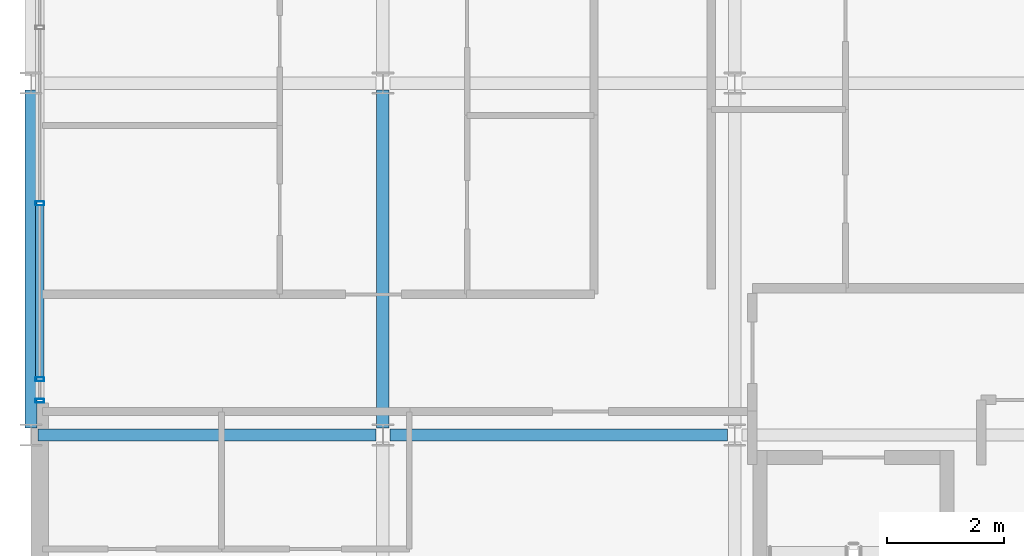
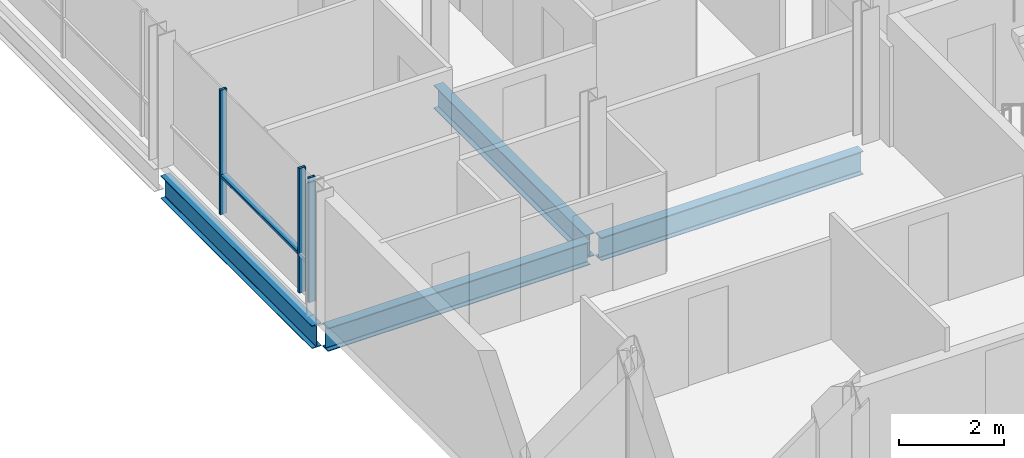
# One storey, part 4 of 29: 4 beams, 4 members, 1 element without a shape of its own.
"""IFC4 building model written with IfcOpenShell, lengths in metres."""

from ifc_helpers import new_model, si_unit, direction, frame, origin, origin_2d, place, context, subcontext, project, spatial, hollow_rectangle, i_section, extrude, material, layer, layer_set, material_profile, profile_set, type_object, element, aggregate, save


model = new_model("IFC4")

# Units and contexts
model_context = context("Model", 3, precision=1e-05, world=origin(), true_north=direction((0.0, 1.0)))
body_context = subcontext(model_context, "Body", "Model", "MODEL_VIEW")
ifc_project = project(units=[si_unit("LENGTHUNIT", "METRE"), si_unit("AREAUNIT", "SQUARE_METRE"), si_unit("VOLUMEUNIT", "CUBIC_METRE"), si_unit("PLANEANGLEUNIT", "RADIAN"), si_unit("MASSUNIT", "GRAM", prefix="KILO")], contexts=[model_context])

# Site, building, storey
site_placement = place(None, origin())
site = spatial("IfcSite", under=ifc_project, at=site_placement, CompositionType="ELEMENT")
building_placement = place(site_placement, origin())
building = spatial("IfcBuilding", under=site, at=building_placement, Name="Brevholm Reach", CompositionType="ELEMENT")
storey_placement = place(building_placement, frame((0.0, 0.0, 208.0)))
storey = spatial("IfcBuildingStorey", under=building, at=storey_placement, Name="L63", CompositionType="ELEMENT", Elevation=208.0)

# Beams
ifc_material_1 = material(Name="Structural Steel S355J2", Category="steel")
ifc_material_profile_1 = material_profile(ifc_material_1, i_section(OverallWidth=0.209228515625, OverallDepth=0.533203125, WebThickness=0.010009765625, FlangeThickness=0.015625, FilletRadius=0.0126953125, at=origin_2d()), Name="UKB 533x210x92")
ifc_profile_set_1 = profile_set([ifc_material_profile_1], Name="Structural Steel S355J2")
beam_type_1 = type_object("IfcBeamType", Name="BM-SP533", PredefinedType="SPANDREL", material=ifc_profile_set_1)
beam_placement = place(storey_placement, frame((0.0, 10.1201171875, -0.4765625), z_axis=(0.0, 1.0, 0.0), x_axis=(-1.0, 0.0, 0.0)))
element("IfcBeam", 1, at=beam_placement, inside=storey, type_object=beam_type_1, Name="L63 SP-02 Framing Beam", PredefinedType="SPANDREL", context=body_context, shape_type="SweptSolid", body=[
    extrude(i_section(OverallWidth=0.209228515625, OverallDepth=0.533203125, WebThickness=0.010009765625, FlangeThickness=0.015625, FilletRadius=0.0126953125, at=origin_2d()), origin(), (0.0, 0.0, 1.0), 5.759765625),
])
ifc_material_2 = material(Name="Structural Steel S355J2", Category="steel")
ifc_material_profile_2 = material_profile(ifc_material_2, i_section(OverallWidth=0.210693359375, OverallDepth=0.53955078125, WebThickness=0.01171875, FlangeThickness=0.018798828125, FilletRadius=0.0126953125, at=origin_2d()), Name="UKB 533x210x109")
ifc_profile_set_2 = profile_set([ifc_material_profile_2], Name="Structural Steel S355J2")
beam_type_2 = type_object("IfcBeamType", Name="BM-SP539", PredefinedType="SPANDREL", material=ifc_profile_set_2)
for number, where, z_axis, x_axis, name in (
    (2, (0.1201171875, 10.0, -0.479736328125), (1.0, 0.0, 0.0), (0.0, 1.0, 0.0), "L63 SP-01B Framing Beam"),
    (3, (6.1201171875, 10.0, -0.479736328125), (1.0, 0.0, 0.0), (0.0, 1.0, 0.0), "L63 SP-01B Framing Beam"),
    (4, (6.0, 10.1201171875, -0.479736328125), (0.0, 1.0, 0.0), (-1.0, 0.0, 0.0), "L63 SP-01B Framing Beam"),
):
    element("IfcBeam", number, at=place(storey_placement, frame(where, z_axis=z_axis, x_axis=x_axis)), inside=storey, type_object=beam_type_2, Name=name, PredefinedType="SPANDREL", context=body_context, shape_type="SweptSolid", body=[
        extrude(i_section(OverallWidth=0.210693359375, OverallDepth=0.53955078125, WebThickness=0.01171875, FlangeThickness=0.018798828125, FilletRadius=0.0126953125, at=origin_2d()), origin(), (0.0, 0.0, 1.0), 5.759765625),
    ])

# Curtain wall, members
ifc_material_3 = material(Name="Dark Anodised Aluminium 6063-T6 and Solar-Control Glass", Category="aluminium")
ifc_layer = layer(ifc_material_3, 0.14990234375)
ifc_layer_set = layer_set([ifc_layer], Name="Dark Anodised Aluminium 6063-T6 and Solar-Control Glass")
curtain_wall_type = type_object("IfcCurtainWallType", Name="CW-01", PredefinedType="NOTDEFINED", material=ifc_layer_set)
curtain_wall_placement = place(storey_placement, origin())
curtain_wall = element("IfcCurtainWall", 5, at=curtain_wall_placement, inside=storey, type_object=curtain_wall_type, Name="L63 Curtain Wall CW-01", PredefinedType="NOTDEFINED")
ifc_material_4 = material(Name="Dark Anodised Aluminium 6063-T6", Category="aluminium")
ifc_material_profile_3 = material_profile(ifc_material_4, hollow_rectangle(XDim=0.06494140625, YDim=0.14990234375, WallThickness=0.0048828125, InnerFilletRadius=0.0048828125, OuterFilletRadius=0.010009765625, at=origin_2d()), Name="RHS 150x65x5")
ifc_profile_set_3 = profile_set([ifc_material_profile_3], Name="Dark Anodised Aluminium 6063-T6")
member_type_1 = type_object("IfcMemberType", Name="CWM-150", PredefinedType="MULLION", material=ifc_profile_set_3)
member_1_placement = place(storey_placement, frame((0.14990234375, 13.949951171875, 0.0), z_axis=(0.0, 0.0, 1.0), x_axis=(0.0, -1.0, 0.0)))
member_1 = element("IfcMember", 6, at=member_1_placement, type_object=member_type_1, Name="CM-150 Mullion 4", PredefinedType="MULLION", context=body_context, shape_type="SweptSolid", body=[
    extrude(hollow_rectangle(XDim=0.06494140625, YDim=0.14990234375, WallThickness=0.0048828125, InnerFilletRadius=0.0048828125, OuterFilletRadius=0.010009765625, at=origin_2d()), origin(), (0.0, 0.0, 1.0), 2.889892578125),
])
member_2_placement = place(storey_placement, frame((0.14990234375, 10.949951171875, 0.0), z_axis=(0.0, 0.0, 1.0), x_axis=(0.0, -1.0, 0.0)))
member_2 = element("IfcMember", 7, at=member_2_placement, type_object=member_type_1, Name="CM-150 Mullion 5", PredefinedType="MULLION", context=body_context, shape_type="SweptSolid", body=[
    extrude(hollow_rectangle(XDim=0.06494140625, YDim=0.14990234375, WallThickness=0.0048828125, InnerFilletRadius=0.0048828125, OuterFilletRadius=0.010009765625, at=origin_2d()), origin(), (0.0, 0.0, 1.0), 2.889892578125),
])
member_3_placement = place(storey_placement, frame((0.14990234375, 10.58251953125, 0.0), z_axis=(0.0, 0.0, 1.0), x_axis=(0.0, -1.0, 0.0)))
member_3 = element("IfcMember", 8, at=member_3_placement, type_object=member_type_1, Name="CM-150 Mullion 6", PredefinedType="MULLION", context=body_context, shape_type="SweptSolid", body=[
    extrude(hollow_rectangle(XDim=0.06494140625, YDim=0.14990234375, WallThickness=0.0048828125, InnerFilletRadius=0.0048828125, OuterFilletRadius=0.010009765625, at=origin_2d()), origin(), (0.0, 0.0, 1.0), 2.889892578125),
])
ifc_material_5 = material(Name="Dark Anodised Aluminium 6063-T6", Category="aluminium")
ifc_material_profile_4 = material_profile(ifc_material_5, hollow_rectangle(XDim=0.06494140625, YDim=0.14990234375, WallThickness=0.0048828125, InnerFilletRadius=0.0048828125, OuterFilletRadius=0.010009765625, at=origin_2d()), Name="RHS 150x65x5")
ifc_profile_set_4 = profile_set([ifc_material_profile_4], Name="Dark Anodised Aluminium 6063-T6")
member_type_2 = type_object("IfcMemberType", Name="CWT-150", PredefinedType="NOTDEFINED", material=ifc_profile_set_4)
member_4_placement = place(storey_placement, frame((0.14990234375, 13.91748046875, 0.89990234375), z_axis=(0.0, -1.0, 0.0), x_axis=(0.0, 0.0, 1.0)))
member_4 = element("IfcMember", 9, at=member_4_placement, type_object=member_type_2, Name="CT-150 Transom 4.1", ObjectType="TRANSOM", PredefinedType="USERDEFINED", context=body_context, shape_type="SweptSolid", body=[
    extrude(hollow_rectangle(XDim=0.06494140625, YDim=0.14990234375, WallThickness=0.0048828125, InnerFilletRadius=0.0048828125, OuterFilletRadius=0.010009765625, at=origin_2d()), origin(), (0.0, 0.0, 1.0), 2.93505859375),
])
aggregate(curtain_wall, [member_1, member_2, member_3, member_4])

save(model, "model.ifc")
